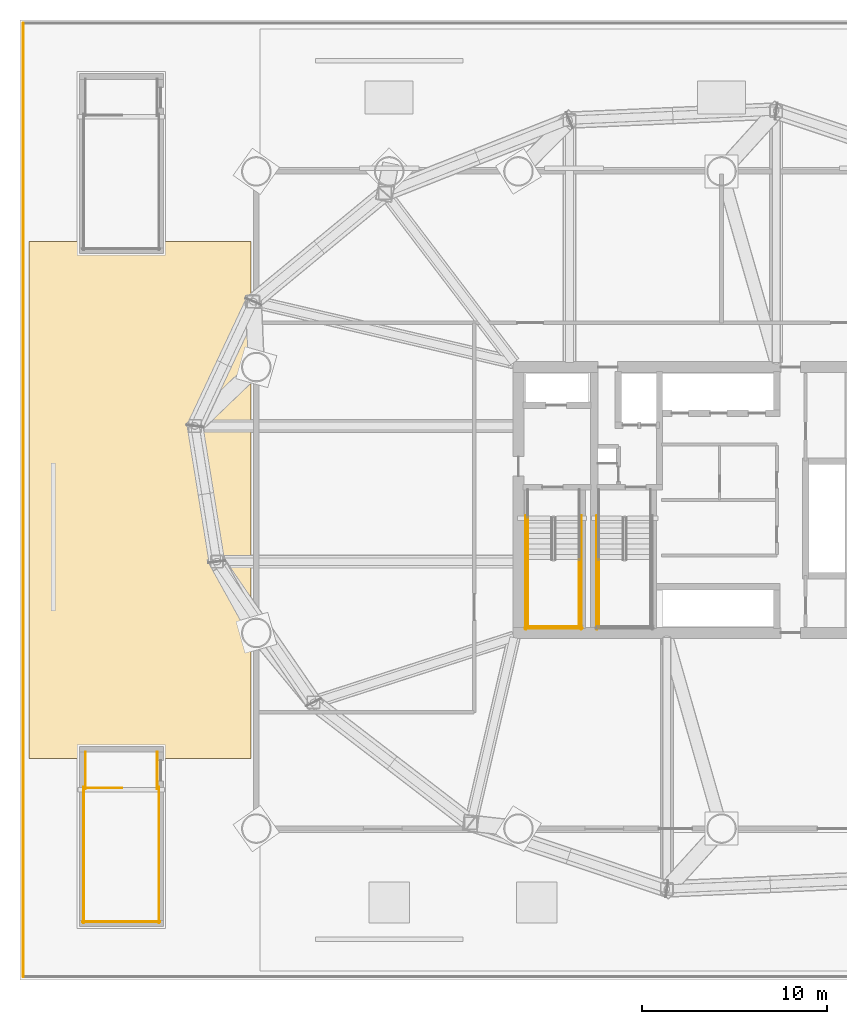
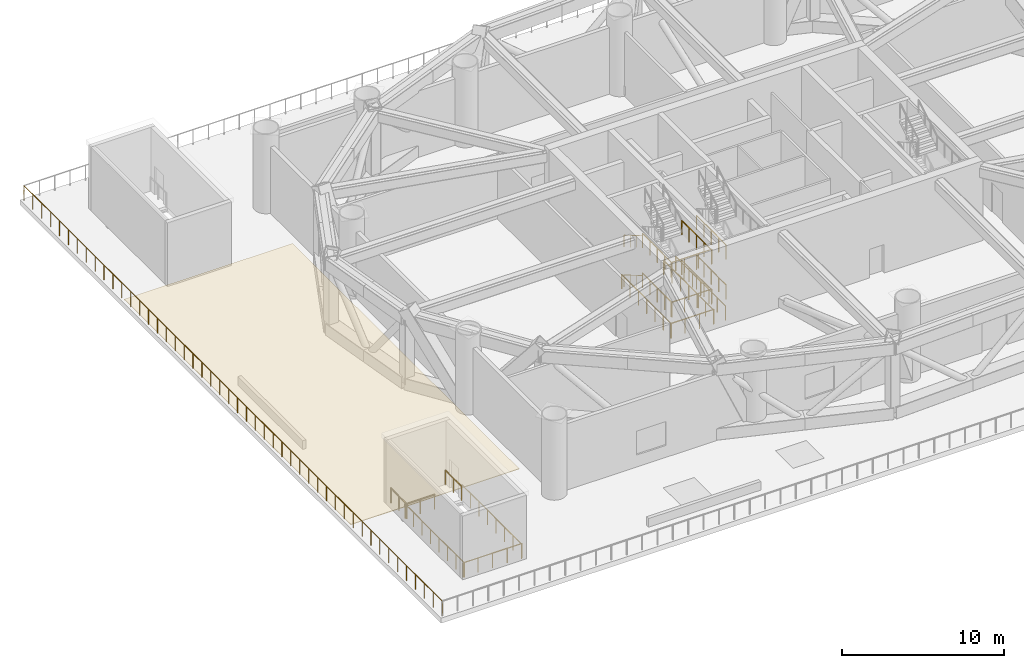
# One storey, part 10 of 14: 21 railings, 1 covering.
"""IFC4 building model written with IfcOpenShell, lengths in metres."""

from ifc_helpers import new_model, si_unit, direction, frame, origin, origin_2d, place, context, subcontext, project, spatial, polyline, circle, outline, extrude, material, layer, layer_set, type_object, element, save


model = new_model("IFC4")

# Units and contexts
model_context = context("Model", 3, precision=1e-05, world=origin(), true_north=direction((0.0, 1.0)))
body_context = subcontext(model_context, "Body", "Model", "MODEL_VIEW")
ifc_project = project(units=[si_unit("LENGTHUNIT", "METRE"), si_unit("AREAUNIT", "SQUARE_METRE"), si_unit("VOLUMEUNIT", "CUBIC_METRE"), si_unit("PLANEANGLEUNIT", "RADIAN"), si_unit("MASSUNIT", "GRAM", prefix="KILO")], contexts=[model_context])

# Site, building, storey
site_placement = place(None, origin())
site = spatial("IfcSite", under=ifc_project, at=site_placement, CompositionType="ELEMENT")
building_placement = place(site_placement, origin())
building = spatial("IfcBuilding", under=site, at=building_placement, Name="Bramvorn Convention Spire", CompositionType="ELEMENT")
storey_placement = place(building_placement, frame((0.0, 0.0, 35.39990234375)))
storey = spatial("IfcBuildingStorey", under=building, at=storey_placement, Name="L06", CompositionType="ELEMENT", Elevation=35.39990234375)

# Covering
ifc_material_1 = material(Name="SBS Modified Bitumen Waterproofing Membrane", Category="membrane")
ifc_layer = layer(ifc_material_1, 0.0400390625)
ifc_layer_set = layer_set([ifc_layer], Name="SBS Modified Bitumen Waterproofing Membrane - COV-ROOF-MEMB-40")
covering_type = type_object("IfcCoveringType", Name="COV-ROOF-MEMB-40", PredefinedType="ROOFING", material=ifc_layer_set)
covering_placement = place(storey_placement, frame((0.0, 0.0, -0.419921875)))
element("IfcCovering", 1, at=covering_placement, inside=storey, type_object=covering_type, Name="L06 raised garden waterproofing membrane zone 3", PredefinedType="ROOFING", context=body_context, shape_type="SweptSolid", body=[
    extrude(outline(polyline([(0.5, 12.0), (12.5, 12.0), (12.5, 40.0), (0.5, 40.0), (0.5, 12.0)])), origin(), (0.0, 0.0, 1.0), 0.0400390625),
])

# Railings
ifc_material_2 = material(Name="Painted Steel Balustrade & Guardrail", Category="steel")
railing_type_1 = type_object("IfcRailingType", Name="RL-STAIR-GUARD-1100", PredefinedType="GUARDRAIL", material=ifc_material_2)
for number, where, name in (
    (2, (27.5, 22.77001953125, 1.5), "L06 ST1 stair guard 3"),
    (3, (30.300048828125, 22.77001953125, 1.5), "L06 ST1 stair guard 4"),
):
    element("IfcRailing", number, at=place(storey_placement, frame(where)), inside=storey, type_object=railing_type_1, Name=name, PredefinedType="GUARDRAIL", context=body_context, shape_type="SweptSolid", body=[
        extrude(circle(Radius=0.02392578125, at=origin_2d()), frame((0.0, 0.0, 1.076171875), z_axis=(0.0, -1.0, 0.0), x_axis=(1.0, 0.0, 0.0)), (0.0, 0.0, 1.0), 3.669921875),
        extrude(circle(Radius=0.02099609375, at=origin_2d()), origin(), (0.0, 0.0, 1.0), 1.052001953125),
        extrude(circle(Radius=0.02099609375, at=origin_2d()), frame((0.0, -0.91748046875, 0.0)), (0.0, 0.0, 1.0), 1.052001953125),
        extrude(circle(Radius=0.02099609375, at=origin_2d()), frame((0.0, -1.8349609375, 0.0)), (0.0, 0.0, 1.0), 1.052001953125),
        extrude(circle(Radius=0.02099609375, at=origin_2d()), frame((0.0, -2.75244140625, 0.0)), (0.0, 0.0, 1.0), 1.052001953125),
        extrude(circle(Radius=0.02099609375, at=origin_2d()), frame((0.0, -3.669921875, 0.0)), (0.0, 0.0, 1.0), 1.052001953125),
    ])
railing_1_placement = place(storey_placement, frame((27.449951171875, 19.14990234375, 1.5)))
element("IfcRailing", 4, at=railing_1_placement, inside=storey, type_object=railing_type_1, Name="L06 ST1 stair guard 5", PredefinedType="GUARDRAIL", context=body_context, shape_type="SweptSolid", body=[
    extrude(circle(Radius=0.02392578125, at=origin_2d()), frame((0.0, 0.0, 1.076171875), z_axis=(1.0, 0.0, 0.0), x_axis=(0.0, 1.0, 0.0)), (0.0, 0.0, 1.0), 2.900146484375),
    extrude(circle(Radius=0.02099609375, at=origin_2d()), origin(), (0.0, 0.0, 1.0), 1.052001953125),
    extrude(circle(Radius=0.02099609375, at=origin_2d()), frame((0.966796875, 0.0, 0.0)), (0.0, 0.0, 1.0), 1.052001953125),
    extrude(circle(Radius=0.02099609375, at=origin_2d()), frame((1.933349609375, 0.0, 0.0)), (0.0, 0.0, 1.0), 1.052001953125),
    extrude(circle(Radius=0.02099609375, at=origin_2d()), frame((2.900146484375, 0.0, 0.0)), (0.0, 0.0, 1.0), 1.052001953125),
])
for number, where, name in (
    (5, (27.5, 22.77001953125, 4.5), "L06 ST1 stair guard 12"),
    (6, (30.300048828125, 22.77001953125, 4.5), "L06 ST1 stair guard 13"),
):
    element("IfcRailing", number, at=place(storey_placement, frame(where)), inside=storey, type_object=railing_type_1, Name=name, PredefinedType="GUARDRAIL", context=body_context, shape_type="SweptSolid", body=[
        extrude(circle(Radius=0.02392578125, at=origin_2d()), frame((0.0, 0.0, 1.076171875), z_axis=(0.0, -1.0, 0.0), x_axis=(1.0, 0.0, 0.0)), (0.0, 0.0, 1.0), 3.669921875),
        extrude(circle(Radius=0.02099609375, at=origin_2d()), origin(), (0.0, 0.0, 1.0), 1.052001953125),
        extrude(circle(Radius=0.02099609375, at=origin_2d()), frame((0.0, -0.91748046875, 0.0)), (0.0, 0.0, 1.0), 1.052001953125),
        extrude(circle(Radius=0.02099609375, at=origin_2d()), frame((0.0, -1.8349609375, 0.0)), (0.0, 0.0, 1.0), 1.052001953125),
        extrude(circle(Radius=0.02099609375, at=origin_2d()), frame((0.0, -2.75244140625, 0.0)), (0.0, 0.0, 1.0), 1.052001953125),
        extrude(circle(Radius=0.02099609375, at=origin_2d()), frame((0.0, -3.669921875, 0.0)), (0.0, 0.0, 1.0), 1.052001953125),
    ])
railing_2_placement = place(storey_placement, frame((27.449951171875, 19.14990234375, 4.5)))
element("IfcRailing", 7, at=railing_2_placement, inside=storey, type_object=railing_type_1, Name="L06 ST1 stair guard 14", PredefinedType="GUARDRAIL", context=body_context, shape_type="SweptSolid", body=[
    extrude(circle(Radius=0.02392578125, at=origin_2d()), frame((0.0, 0.0, 1.076171875), z_axis=(1.0, 0.0, 0.0), x_axis=(0.0, 1.0, 0.0)), (0.0, 0.0, 1.0), 2.900146484375),
    extrude(circle(Radius=0.02099609375, at=origin_2d()), origin(), (0.0, 0.0, 1.0), 1.052001953125),
    extrude(circle(Radius=0.02099609375, at=origin_2d()), frame((0.966796875, 0.0, 0.0)), (0.0, 0.0, 1.0), 1.052001953125),
    extrude(circle(Radius=0.02099609375, at=origin_2d()), frame((1.933349609375, 0.0, 0.0)), (0.0, 0.0, 1.0), 1.052001953125),
    extrude(circle(Radius=0.02099609375, at=origin_2d()), frame((2.900146484375, 0.0, 0.0)), (0.0, 0.0, 1.0), 1.052001953125),
])
for number, where, name in (
    (8, (27.39990234375, 25.14990234375, 0.0), "L06 ST1 stair guard 19"),
    (9, (30.39990234375, 25.14990234375, 0.0), "L06 ST1 stair guard 20"),
):
    element("IfcRailing", number, at=place(storey_placement, frame(where)), inside=storey, type_object=railing_type_1, Name=name, PredefinedType="GUARDRAIL", context=body_context, shape_type="SweptSolid", body=[
        extrude(circle(Radius=0.02392578125, at=origin_2d()), frame((0.0, 0.0, 1.076171875), z_axis=(0.0, -1.0, 0.0), x_axis=(1.0, 0.0, 0.0)), (0.0, 0.0, 1.0), 6.14990234375),
        extrude(circle(Radius=0.02099609375, at=origin_2d()), origin(), (0.0, 0.0, 1.0), 1.052001953125),
        extrude(circle(Radius=0.02099609375, at=origin_2d()), frame((0.0, -1.02490234375, 0.0)), (0.0, 0.0, 1.0), 1.052001953125),
        extrude(circle(Radius=0.02099609375, at=origin_2d()), frame((0.0, -2.050048828125, 0.0)), (0.0, 0.0, 1.0), 1.052001953125),
        extrude(circle(Radius=0.02099609375, at=origin_2d()), frame((0.0, -3.074951171875, 0.0)), (0.0, 0.0, 1.0), 1.052001953125),
        extrude(circle(Radius=0.02099609375, at=origin_2d()), frame((0.0, -4.099853515625, 0.0)), (0.0, 0.0, 1.0), 1.052001953125),
        extrude(circle(Radius=0.02099609375, at=origin_2d()), frame((0.0, -5.125, 0.0)), (0.0, 0.0, 1.0), 1.052001953125),
        extrude(circle(Radius=0.02099609375, at=origin_2d()), frame((0.0, -6.14990234375, 0.0)), (0.0, 0.0, 1.0), 1.052001953125),
    ])
railing_3_placement = place(storey_placement, frame((27.35009765625, 19.050048828125, 0.0)))
element("IfcRailing", 10, at=railing_3_placement, inside=storey, type_object=railing_type_1, Name="L06 ST1 stair guard 21", PredefinedType="GUARDRAIL", context=body_context, shape_type="SweptSolid", body=[
    extrude(circle(Radius=0.02392578125, at=origin_2d()), frame((0.0, 0.0, 1.076171875), z_axis=(1.0, 0.0, 0.0), x_axis=(0.0, 1.0, 0.0)), (0.0, 0.0, 1.0), 3.099853515625),
    extrude(circle(Radius=0.02099609375, at=origin_2d()), origin(), (0.0, 0.0, 1.0), 1.052001953125),
    extrude(circle(Radius=0.02099609375, at=origin_2d()), frame((1.033203125, 0.0, 0.0)), (0.0, 0.0, 1.0), 1.052001953125),
    extrude(circle(Radius=0.02099609375, at=origin_2d()), frame((2.066650390625, 0.0, 0.0)), (0.0, 0.0, 1.0), 1.052001953125),
    extrude(circle(Radius=0.02099609375, at=origin_2d()), frame((3.099853515625, 0.0, 0.0)), (0.0, 0.0, 1.0), 1.052001953125),
])
for number, where, name in (
    (11, (31.35009765625, 22.77001953125, 1.5), "L06 ST3 stair guard 3"),
    (12, (31.35009765625, 22.77001953125, 4.5), "L06 ST3 stair guard 12"),
):
    element("IfcRailing", number, at=place(storey_placement, frame(where)), inside=storey, type_object=railing_type_1, Name=name, PredefinedType="GUARDRAIL", context=body_context, shape_type="SweptSolid", body=[
        extrude(circle(Radius=0.02392578125, at=origin_2d()), frame((0.0, 0.0, 1.076171875), z_axis=(0.0, -1.0, 0.0), x_axis=(1.0, 0.0, 0.0)), (0.0, 0.0, 1.0), 3.669921875),
        extrude(circle(Radius=0.02099609375, at=origin_2d()), origin(), (0.0, 0.0, 1.0), 1.052001953125),
        extrude(circle(Radius=0.02099609375, at=origin_2d()), frame((0.0, -0.91748046875, 0.0)), (0.0, 0.0, 1.0), 1.052001953125),
        extrude(circle(Radius=0.02099609375, at=origin_2d()), frame((0.0, -1.8349609375, 0.0)), (0.0, 0.0, 1.0), 1.052001953125),
        extrude(circle(Radius=0.02099609375, at=origin_2d()), frame((0.0, -2.75244140625, 0.0)), (0.0, 0.0, 1.0), 1.052001953125),
        extrude(circle(Radius=0.02099609375, at=origin_2d()), frame((0.0, -3.669921875, 0.0)), (0.0, 0.0, 1.0), 1.052001953125),
    ])
railing_4_placement = place(storey_placement, frame((31.25, 25.14990234375, 0.0)))
element("IfcRailing", 13, at=railing_4_placement, inside=storey, type_object=railing_type_1, Name="L06 ST3 stair guard 19", PredefinedType="GUARDRAIL", context=body_context, shape_type="SweptSolid", body=[
    extrude(circle(Radius=0.02392578125, at=origin_2d()), frame((0.0, 0.0, 1.076171875), z_axis=(0.0, -1.0, 0.0), x_axis=(1.0, 0.0, 0.0)), (0.0, 0.0, 1.0), 6.14990234375),
    extrude(circle(Radius=0.02099609375, at=origin_2d()), origin(), (0.0, 0.0, 1.0), 1.052001953125),
    extrude(circle(Radius=0.02099609375, at=origin_2d()), frame((0.0, -1.02490234375, 0.0)), (0.0, 0.0, 1.0), 1.052001953125),
    extrude(circle(Radius=0.02099609375, at=origin_2d()), frame((0.0, -2.050048828125, 0.0)), (0.0, 0.0, 1.0), 1.052001953125),
    extrude(circle(Radius=0.02099609375, at=origin_2d()), frame((0.0, -3.074951171875, 0.0)), (0.0, 0.0, 1.0), 1.052001953125),
    extrude(circle(Radius=0.02099609375, at=origin_2d()), frame((0.0, -4.099853515625, 0.0)), (0.0, 0.0, 1.0), 1.052001953125),
    extrude(circle(Radius=0.02099609375, at=origin_2d()), frame((0.0, -5.125, 0.0)), (0.0, 0.0, 1.0), 1.052001953125),
    extrude(circle(Radius=0.02099609375, at=origin_2d()), frame((0.0, -6.14990234375, 0.0)), (0.0, 0.0, 1.0), 1.052001953125),
])
railing_5_placement = place(storey_placement, frame((3.5, 10.39990234375, 0.0)))
element("IfcRailing", 14, at=railing_5_placement, inside=storey, type_object=railing_type_1, Name="L06 ST4 top well guard 1", PredefinedType="GUARDRAIL", context=body_context, shape_type="SweptSolid", body=[
    extrude(circle(Radius=0.02392578125, at=origin_2d()), frame((0.0, 0.0, 1.076171875), z_axis=(1.0, 0.0, 0.0), x_axis=(0.0, 1.0, 0.0)), (0.0, 0.0, 1.0), 2.030029296875),
    extrude(circle(Radius=0.02099609375, at=origin_2d()), origin(), (0.0, 0.0, 1.0), 1.052001953125),
    extrude(circle(Radius=0.02099609375, at=origin_2d()), frame((1.01513671875, 0.0, 0.0)), (0.0, 0.0, 1.0), 1.052001953125),
    extrude(circle(Radius=0.02099609375, at=origin_2d()), frame((2.030029296875, 0.0, 0.0)), (0.0, 0.0, 1.0), 1.052001953125),
])
for number, where, name in (
    (15, (3.449951171875, 10.449951171875, 0.0), "L06 ST4 top well guard 2"),
    (16, (7.530029296875, 10.449951171875, 0.0), "L06 ST4 top well guard 3"),
):
    element("IfcRailing", number, at=place(storey_placement, frame(where)), inside=storey, type_object=railing_type_1, Name=name, PredefinedType="GUARDRAIL", context=body_context, shape_type="SweptSolid", body=[
        extrude(circle(Radius=0.02392578125, at=origin_2d()), frame((0.0, 0.0, 1.076171875), z_axis=(0.0, -1.0, 0.0), x_axis=(1.0, 0.0, 0.0)), (0.0, 0.0, 1.0), 7.349853515625),
        extrude(circle(Radius=0.02099609375, at=origin_2d()), origin(), (0.0, 0.0, 1.0), 1.052001953125),
        extrude(circle(Radius=0.02099609375, at=origin_2d()), frame((0.0, -1.050048828125, 0.0)), (0.0, 0.0, 1.0), 1.052001953125),
        extrude(circle(Radius=0.02099609375, at=origin_2d()), frame((0.0, -2.099853515625, 0.0)), (0.0, 0.0, 1.0), 1.052001953125),
        extrude(circle(Radius=0.02099609375, at=origin_2d()), frame((0.0, -3.14990234375, 0.0)), (0.0, 0.0, 1.0), 1.052001953125),
        extrude(circle(Radius=0.02099609375, at=origin_2d()), frame((0.0, -4.199951171875, 0.0)), (0.0, 0.0, 1.0), 1.052001953125),
        extrude(circle(Radius=0.02099609375, at=origin_2d()), frame((0.0, -5.25, 0.0)), (0.0, 0.0, 1.0), 1.052001953125),
        extrude(circle(Radius=0.02099609375, at=origin_2d()), frame((0.0, -6.2998046875, 0.0)), (0.0, 0.0, 1.0), 1.052001953125),
        extrude(circle(Radius=0.02099609375, at=origin_2d()), frame((0.0, -7.349853515625, 0.0)), (0.0, 0.0, 1.0), 1.052001953125),
    ])
railing_6_placement = place(storey_placement, frame((3.39990234375, 3.14990234375, 0.0)))
element("IfcRailing", 17, at=railing_6_placement, inside=storey, type_object=railing_type_1, Name="L06 ST4 top well guard 4", PredefinedType="GUARDRAIL", context=body_context, shape_type="SweptSolid", body=[
    extrude(circle(Radius=0.02392578125, at=origin_2d()), frame((0.0, 0.0, 1.076171875), z_axis=(1.0, 0.0, 0.0), x_axis=(0.0, 1.0, 0.0)), (0.0, 0.0, 1.0), 4.18017578125),
    extrude(circle(Radius=0.02099609375, at=origin_2d()), origin(), (0.0, 0.0, 1.0), 1.052001953125),
    extrude(circle(Radius=0.02099609375, at=origin_2d()), frame((1.044921875, 0.0, 0.0)), (0.0, 0.0, 1.0), 1.052001953125),
    extrude(circle(Radius=0.02099609375, at=origin_2d()), frame((2.090087890625, 0.0, 0.0)), (0.0, 0.0, 1.0), 1.052001953125),
    extrude(circle(Radius=0.02099609375, at=origin_2d()), frame((3.13525390625, 0.0, 0.0)), (0.0, 0.0, 1.0), 1.052001953125),
    extrude(circle(Radius=0.02099609375, at=origin_2d()), frame((4.18017578125, 0.0, 0.0)), (0.0, 0.0, 1.0), 1.052001953125),
])
for number, where, name in (
    (18, (3.550048828125, 12.35009765625, 0.0), "L06 ST4 top well guard 5"),
    (19, (7.429931640625, 12.35009765625, 0.0), "L06 ST4 top well guard 6"),
):
    element("IfcRailing", number, at=place(storey_placement, frame(where)), inside=storey, type_object=railing_type_1, Name=name, PredefinedType="GUARDRAIL", context=body_context, shape_type="SweptSolid", body=[
        extrude(circle(Radius=0.02392578125, at=origin_2d()), frame((0.0, 0.0, 1.076171875), z_axis=(0.0, -1.0, 0.0), x_axis=(1.0, 0.0, 0.0)), (0.0, 0.0, 1.0), 2.0),
        extrude(circle(Radius=0.02099609375, at=origin_2d()), origin(), (0.0, 0.0, 1.0), 1.052001953125),
        extrude(circle(Radius=0.02099609375, at=origin_2d()), frame((0.0, -1.0, 0.0)), (0.0, 0.0, 1.0), 1.052001953125),
        extrude(circle(Radius=0.02099609375, at=origin_2d()), frame((0.0, -2.0, 0.0)), (0.0, 0.0, 1.0), 1.052001953125),
    ])
ifc_material_3 = material(Name="Brushed Bronze Tubular Handrail", Category="aluminium")
railing_type_2 = type_object("IfcRailingType", Name="RL-STAIR-HR-920", PredefinedType="HANDRAIL", material=ifc_material_3)
for number, where, name in (
    (20, (27.5, 25.050048828125, 0.166748046875), "L06 ST1 stair handrail 1"),
    (21, (27.5, 25.050048828125, 3.166748046875), "L06 ST1 stair handrail 3"),
):
    element("IfcRailing", number, at=place(storey_placement, frame(where)), inside=storey, type_object=railing_type_2, Name=name, PredefinedType="HANDRAIL", context=body_context, shape_type="SweptSolid", body=[
        extrude(circle(Radius=0.02392578125, at=origin_2d()), frame((0.0, 0.0, 0.89599609375), z_axis=(0.0, -0.863245362884, 0.504784551527), x_axis=(1.0, 0.0, 0.0)), (0.0, 0.0, 1.0), 2.64111328125),
        extrude(circle(Radius=0.02099609375, at=origin_2d()), origin(), (0.0, 0.0, 1.0), 0.871826171875),
        extrude(circle(Radius=0.02099609375, at=origin_2d()), frame((0.0, -0.760009765625, 0.4443359375)), (0.0, 0.0, 1.0), 0.871826171875),
        extrude(circle(Radius=0.02099609375, at=origin_2d()), frame((0.0, -1.52001953125, 0.888916015625)), (0.0, 0.0, 1.0), 0.871826171875),
        extrude(circle(Radius=0.02099609375, at=origin_2d()), frame((0.0, -2.280029296875, 1.333251953125)), (0.0, 0.0, 1.0), 0.871826171875),
    ])
ifc_material_4 = material(Name="Bronze Cap-Rail & Laminated Structural Glass Balustrade", Category="glass")
railing_type_3 = type_object("IfcRailingType", Name="RL-TERR-GUARD-1150", PredefinedType="GUARDRAIL", material=ifc_material_4)
railing_7_placement = place(storey_placement, frame((0.179931640625, 51.820068359375, 0.0)))
element("IfcRailing", 22, at=railing_7_placement, inside=storey, type_object=railing_type_3, Name="L06 Raised Public Garden perimeter safety guardrail side 4", PredefinedType="GUARDRAIL", context=body_context, shape_type="SweptSolid", body=[
    extrude(circle(Radius=0.02392578125, at=origin_2d()), frame((0.0, 0.0, 1.1259765625), z_axis=(0.0, -1.0, 0.0), x_axis=(1.0, 0.0, 0.0)), (0.0, 0.0, 1.0), 51.64013671875),
    extrude(circle(Radius=0.02099609375, at=origin_2d()), origin(), (0.0, 0.0, 1.0), 1.101806640625),
    extrude(circle(Radius=0.02099609375, at=origin_2d()), frame((0.0, -1.0986328125, 0.0)), (0.0, 0.0, 1.0), 1.101806640625),
    extrude(circle(Radius=0.02099609375, at=origin_2d()), frame((0.0, -2.197509765625, 0.0)), (0.0, 0.0, 1.0), 1.101806640625),
    extrude(circle(Radius=0.02099609375, at=origin_2d()), frame((0.0, -3.296142578125, 0.0)), (0.0, 0.0, 1.0), 1.101806640625),
    extrude(circle(Radius=0.02099609375, at=origin_2d()), frame((0.0, -4.39501953125, 0.0)), (0.0, 0.0, 1.0), 1.101806640625),
    extrude(circle(Radius=0.02099609375, at=origin_2d()), frame((0.0, -5.49365234375, 0.0)), (0.0, 0.0, 1.0), 1.101806640625),
    extrude(circle(Radius=0.02099609375, at=origin_2d()), frame((0.0, -6.59228515625, 0.0)), (0.0, 0.0, 1.0), 1.101806640625),
    extrude(circle(Radius=0.02099609375, at=origin_2d()), frame((0.0, -7.691162109375, 0.0)), (0.0, 0.0, 1.0), 1.101806640625),
    extrude(circle(Radius=0.02099609375, at=origin_2d()), frame((0.0, -8.789794921875, 0.0)), (0.0, 0.0, 1.0), 1.101806640625),
    extrude(circle(Radius=0.02099609375, at=origin_2d()), frame((0.0, -9.888427734375, 0.0)), (0.0, 0.0, 1.0), 1.101806640625),
    extrude(circle(Radius=0.02099609375, at=origin_2d()), frame((0.0, -10.9873046875, 0.0)), (0.0, 0.0, 1.0), 1.101806640625),
    extrude(circle(Radius=0.02099609375, at=origin_2d()), frame((0.0, -12.0859375, 0.0)), (0.0, 0.0, 1.0), 1.101806640625),
    extrude(circle(Radius=0.02099609375, at=origin_2d()), frame((0.0, -13.184814453125, 0.0)), (0.0, 0.0, 1.0), 1.101806640625),
    extrude(circle(Radius=0.02099609375, at=origin_2d()), frame((0.0, -14.283447265625, 0.0)), (0.0, 0.0, 1.0), 1.101806640625),
    extrude(circle(Radius=0.02099609375, at=origin_2d()), frame((0.0, -15.382080078125, 0.0)), (0.0, 0.0, 1.0), 1.101806640625),
    extrude(circle(Radius=0.02099609375, at=origin_2d()), frame((0.0, -16.48095703125, 0.0)), (0.0, 0.0, 1.0), 1.101806640625),
    extrude(circle(Radius=0.02099609375, at=origin_2d()), frame((0.0, -17.57958984375, 0.0)), (0.0, 0.0, 1.0), 1.101806640625),
    extrude(circle(Radius=0.02099609375, at=origin_2d()), frame((0.0, -18.678466796875, 0.0)), (0.0, 0.0, 1.0), 1.101806640625),
    extrude(circle(Radius=0.02099609375, at=origin_2d()), frame((0.0, -19.777099609375, 0.0)), (0.0, 0.0, 1.0), 1.101806640625),
    extrude(circle(Radius=0.02099609375, at=origin_2d()), frame((0.0, -20.875732421875, 0.0)), (0.0, 0.0, 1.0), 1.101806640625),
    extrude(circle(Radius=0.02099609375, at=origin_2d()), frame((0.0, -21.974609375, 0.0)), (0.0, 0.0, 1.0), 1.101806640625),
    extrude(circle(Radius=0.02099609375, at=origin_2d()), frame((0.0, -23.0732421875, 0.0)), (0.0, 0.0, 1.0), 1.101806640625),
    extrude(circle(Radius=0.02099609375, at=origin_2d()), frame((0.0, -24.171875, 0.0)), (0.0, 0.0, 1.0), 1.101806640625),
    extrude(circle(Radius=0.02099609375, at=origin_2d()), frame((0.0, -25.270751953125, 0.0)), (0.0, 0.0, 1.0), 1.101806640625),
    extrude(circle(Radius=0.02099609375, at=origin_2d()), frame((0.0, -26.369384765625, 0.0)), (0.0, 0.0, 1.0), 1.101806640625),
    extrude(circle(Radius=0.02099609375, at=origin_2d()), frame((0.0, -27.46826171875, 0.0)), (0.0, 0.0, 1.0), 1.101806640625),
    extrude(circle(Radius=0.02099609375, at=origin_2d()), frame((0.0, -28.56689453125, 0.0)), (0.0, 0.0, 1.0), 1.101806640625),
    extrude(circle(Radius=0.02099609375, at=origin_2d()), frame((0.0, -29.66552734375, 0.0)), (0.0, 0.0, 1.0), 1.101806640625),
    extrude(circle(Radius=0.02099609375, at=origin_2d()), frame((0.0, -30.764404296875, 0.0)), (0.0, 0.0, 1.0), 1.101806640625),
    extrude(circle(Radius=0.02099609375, at=origin_2d()), frame((0.0, -31.863037109375, 0.0)), (0.0, 0.0, 1.0), 1.101806640625),
    extrude(circle(Radius=0.02099609375, at=origin_2d()), frame((0.0, -32.961669921875, 0.0)), (0.0, 0.0, 1.0), 1.101806640625),
    extrude(circle(Radius=0.02099609375, at=origin_2d()), frame((0.0, -34.060546875, 0.0)), (0.0, 0.0, 1.0), 1.101806640625),
    extrude(circle(Radius=0.02099609375, at=origin_2d()), frame((0.0, -35.1591796875, 0.0)), (0.0, 0.0, 1.0), 1.101806640625),
    extrude(circle(Radius=0.02099609375, at=origin_2d()), frame((0.0, -36.258056640625, 0.0)), (0.0, 0.0, 1.0), 1.101806640625),
    extrude(circle(Radius=0.02099609375, at=origin_2d()), frame((0.0, -37.356689453125, 0.0)), (0.0, 0.0, 1.0), 1.101806640625),
    extrude(circle(Radius=0.02099609375, at=origin_2d()), frame((0.0, -38.455322265625, 0.0)), (0.0, 0.0, 1.0), 1.101806640625),
    extrude(circle(Radius=0.02099609375, at=origin_2d()), frame((0.0, -39.55419921875, 0.0)), (0.0, 0.0, 1.0), 1.101806640625),
    extrude(circle(Radius=0.02099609375, at=origin_2d()), frame((0.0, -40.65283203125, 0.0)), (0.0, 0.0, 1.0), 1.101806640625),
    extrude(circle(Radius=0.02099609375, at=origin_2d()), frame((0.0, -41.751708984375, 0.0)), (0.0, 0.0, 1.0), 1.101806640625),
    extrude(circle(Radius=0.02099609375, at=origin_2d()), frame((0.0, -42.850341796875, 0.0)), (0.0, 0.0, 1.0), 1.101806640625),
    extrude(circle(Radius=0.02099609375, at=origin_2d()), frame((0.0, -43.948974609375, 0.0)), (0.0, 0.0, 1.0), 1.101806640625),
    extrude(circle(Radius=0.02099609375, at=origin_2d()), frame((0.0, -45.0478515625, 0.0)), (0.0, 0.0, 1.0), 1.101806640625),
    extrude(circle(Radius=0.02099609375, at=origin_2d()), frame((0.0, -46.146484375, 0.0)), (0.0, 0.0, 1.0), 1.101806640625),
    extrude(circle(Radius=0.02099609375, at=origin_2d()), frame((0.0, -47.2451171875, 0.0)), (0.0, 0.0, 1.0), 1.101806640625),
    extrude(circle(Radius=0.02099609375, at=origin_2d()), frame((0.0, -48.343994140625, 0.0)), (0.0, 0.0, 1.0), 1.101806640625),
    extrude(circle(Radius=0.02099609375, at=origin_2d()), frame((0.0, -49.442626953125, 0.0)), (0.0, 0.0, 1.0), 1.101806640625),
    extrude(circle(Radius=0.02099609375, at=origin_2d()), frame((0.0, -50.54150390625, 0.0)), (0.0, 0.0, 1.0), 1.101806640625),
    extrude(circle(Radius=0.02099609375, at=origin_2d()), frame((0.0, -51.64013671875, 0.0)), (0.0, 0.0, 1.0), 1.101806640625),
])

save(model, "model.ifc")
